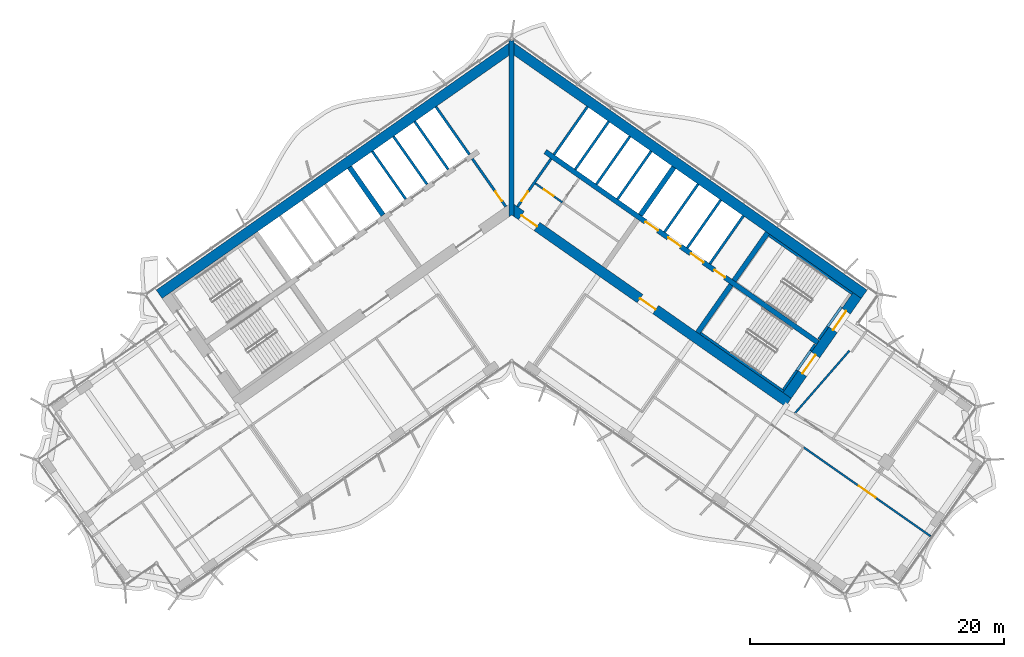
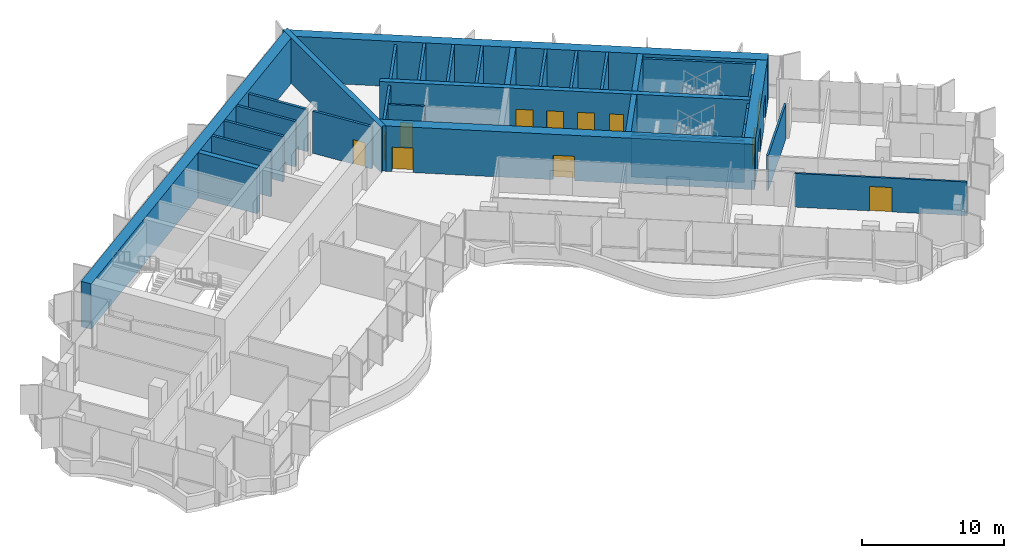
# One storey, part 16 of 23: 33 walls, 12 doors, 12 openings.
"""IFC4 building model written with IfcOpenShell, lengths in metres."""

from ifc_helpers import new_model, si_unit, direction, frame, frame_2d, origin, place, context, subcontext, project, spatial, polyline, rectangle, outline, extrude, material, layer, layer_set, type_object, element, fill, save


model = new_model("IFC4")

# Units and contexts
model_context = context("Model", 3, precision=1e-05, world=origin(), true_north=direction((0.0, 1.0)))
body_context = subcontext(model_context, "Body", "Model", "MODEL_VIEW")
ifc_project = project(units=[si_unit("LENGTHUNIT", "METRE"), si_unit("AREAUNIT", "SQUARE_METRE"), si_unit("VOLUMEUNIT", "CUBIC_METRE"), si_unit("PLANEANGLEUNIT", "RADIAN"), si_unit("MASSUNIT", "GRAM", prefix="KILO")], contexts=[model_context])

# Site, building, storey
site_placement = place(None, origin())
site = spatial("IfcSite", under=ifc_project, at=site_placement, CompositionType="ELEMENT")
building_placement = place(site_placement, origin())
building = spatial("IfcBuilding", under=site, at=building_placement, Name="Tel Ilan Convention Tower", CompositionType="ELEMENT")
storey_placement = place(building_placement, frame((0.0, 0.0, 174.89990234375)))
storey = spatial("IfcBuildingStorey", under=building, at=storey_placement, Name="L40", CompositionType="ELEMENT", Elevation=174.89990234375)

# Wall, opening, door
ifc_material_1 = material(Name="Gypsum Plasterboard on Steel Stud", Category="steel")
ifc_layer_1 = layer(ifc_material_1, 0.14990234375)
ifc_layer_set_1 = layer_set([ifc_layer_1], Name="Core Room Partition Wall 150 mm EI 60")
wall_type_1 = type_object("IfcWallType", Name="Core Room Partition Wall 150 mm EI 60", PredefinedType="PARTITIONING", material=ifc_layer_set_1)
wall_1_placement = place(storey_placement, frame((1.85986328125, 1.261474609375, 0.0), z_axis=(0.0, 0.0, 1.0), x_axis=(0.819103967032, -0.573645091666, 0.0)))
wall_1 = element("IfcWall", 1, at=wall_1_placement, inside=storey, type_object=wall_type_1, Name="L40 core wall wc-h1", PredefinedType="PARTITIONING", context=body_context, shape_type="SweptSolid", body=[
    extrude(rectangle(XDim=2.599853515625, YDim=0.14990234375, at=frame_2d((1.2998046875, 0.0))), origin(), (0.0, 0.0, 1.0), 3.6201171875),
])
opening_1_placement = place(wall_1_placement, frame((0.85009765625, 0.0, 0.0)))
opening_1 = element("IfcOpeningElement", 2, at=opening_1_placement, cuts=wall_1, Name="Opening CD3108", PredefinedType="OPENING", context=body_context, shape_type="SweptSolid", body=[
    extrude(rectangle(XDim=0.89990234375, YDim=2.10009765625, at=frame_2d((0.449951171875, 1.050048828125))), frame((0.0, 0.0849609375, 0.0), z_axis=(0.0, -1.0, 0.0), x_axis=(1.0, 0.0, 0.0)), (0.0, 0.0, 1.0), 0.169921875),
])
ifc_material_2 = material(Name="Laminated Timber Door Leaf", Category="wood")
door_type_1 = type_object("IfcDoorType", Name="Toilet Door 900 x 2100 FD30S", OperationType="NOTDEFINED", PredefinedType="DOOR", material=ifc_material_2)
door_1_placement = place(opening_1_placement, origin())
door_1 = element("IfcDoor", 3, at=door_1_placement, inside=storey, type_object=door_type_1, Name="Accessible WC door", OperationType="SINGLE_SWING_RIGHT", OverallHeight=2.10009765625, OverallWidth=0.89990234375, PredefinedType="DOOR", context=body_context, shape_type="SweptSolid", body=[
    extrude(rectangle(XDim=0.89990234375, YDim=2.10009765625, at=frame_2d((0.449951171875, 1.050048828125))), frame((0.0, 0.02490234375, 0.0), z_axis=(0.0, -1.0, 0.0), x_axis=(1.0, 0.0, 0.0)), (0.0, 0.0, 1.0), 0.050048828125),
])
fill(opening_1, door_1)

ifc_material_3 = material(Name="Concrete C30/37", Category="concrete")
ifc_layer_2 = layer(ifc_material_3, 0.199951171875)
ifc_layer_set_2 = layer_set([ifc_layer_2], Name="Core Service Room Wall 200 mm C30/37")
wall_type_2 = type_object("IfcWallType", Name="Core Service Room Wall 200 mm C30/37", PredefinedType="SOLIDWALL", material=ifc_layer_set_2)
wall_2_placement = place(storey_placement, frame((-0.458740234375, -0.565185546875, 0.0), z_axis=(0.0, 0.0, 1.0), x_axis=(-0.573576324356, 0.819152122709, 0.0)))
wall_2 = element("IfcWall", 4, at=wall_2_placement, inside=storey, type_object=wall_type_2, Name="L40 core wall apex-W", PredefinedType="SOLIDWALL", context=body_context, shape_type="SweptSolid", body=[
    extrude(rectangle(XDim=4.599853515625, YDim=0.199951171875, at=frame_2d((2.2998046875, 0.0))), origin(), (0.0, 0.0, 1.0), 3.6201171875),
])
opening_2_placement = place(wall_2_placement, frame((0.550048828125, 0.0, 0.0)))
opening_2 = element("IfcOpeningElement", 5, at=opening_2_placement, cuts=wall_2, Name="Opening CD3102", PredefinedType="OPENING", context=body_context, shape_type="SweptSolid", body=[
    extrude(rectangle(XDim=0.89990234375, YDim=2.10009765625, at=frame_2d((0.449951171875, 1.050048828125))), frame((0.0, 0.10986328125, 0.0), z_axis=(0.0, -1.0, 0.0), x_axis=(1.0, 0.0, 0.0)), (0.0, 0.0, 1.0), 0.219970703125),
])
ifc_material_4 = material(Name="Galvanised Steel Door Leaf", Category="steel")
door_type_2 = type_object("IfcDoorType", Name="Service Room Door 900 x 2100 FD60", OperationType="NOTDEFINED", PredefinedType="DOOR", material=ifc_material_4)
door_2_placement = place(opening_2_placement, origin())
door_2 = element("IfcDoor", 6, at=door_2_placement, inside=storey, type_object=door_type_2, Name="Electrical Room door", OperationType="SINGLE_SWING_RIGHT", OverallHeight=2.10009765625, OverallWidth=0.89990234375, PredefinedType="DOOR", context=body_context, shape_type="SweptSolid", body=[
    extrude(rectangle(XDim=0.89990234375, YDim=2.10009765625, at=frame_2d((0.449951171875, 1.050048828125))), frame((0.0, 0.02490234375, 0.0), z_axis=(0.0, -1.0, 0.0), x_axis=(1.0, 0.0, 0.0)), (0.0, 0.0, 1.0), 0.050048828125),
])
fill(opening_2, door_2)

# Wall
wall_3_placement = place(storey_placement, frame((-3.32666015625, 3.530517578125, 0.0), z_axis=(0.0, 0.0, 1.0), x_axis=(-0.573576324356, 0.819152122709, 0.0)))
element("IfcWall", 7, at=wall_3_placement, inside=storey, type_object=wall_type_2, Name="L40 core wall apex-W-b", PredefinedType="SOLIDWALL", context=body_context, shape_type="SweptSolid", body=[
    extrude(rectangle(XDim=4.599853515625, YDim=0.199951171875, at=frame_2d((2.2998046875, 0.0))), origin(), (0.0, 0.0, 1.0), 3.6201171875),
])

# Wall, opening, door
wall_4_placement = place(storey_placement, frame((0.458740234375, -0.565185546875, 0.0), z_axis=(0.0, 0.0, 1.0), x_axis=(0.573576324356, 0.819152122709, 0.0)))
wall_4 = element("IfcWall", 8, at=wall_4_placement, inside=storey, type_object=wall_type_2, Name="L40 core wall apex-E", PredefinedType="SOLIDWALL", context=body_context, shape_type="SweptSolid", body=[
    extrude(rectangle(XDim=4.599853515625, YDim=0.199951171875, at=frame_2d((2.2998046875, 0.0))), origin(), (0.0, 0.0, 1.0), 3.6201171875),
])
opening_3_placement = place(wall_4_placement, frame((0.550048828125, 0.0, 0.0)))
opening_3 = element("IfcOpeningElement", 9, at=opening_3_placement, cuts=wall_4, Name="Opening CD3101", PredefinedType="OPENING", context=body_context, shape_type="SweptSolid", body=[
    extrude(rectangle(XDim=0.89990234375, YDim=2.10009765625, at=frame_2d((0.449951171875, 1.050048828125))), frame((0.0, 0.10986328125, 0.0), z_axis=(0.0, -1.0, 0.0), x_axis=(1.0, 0.0, 0.0)), (0.0, 0.0, 1.0), 0.219970703125),
])
door_3_placement = place(opening_3_placement, origin())
door_3 = element("IfcDoor", 10, at=door_3_placement, inside=storey, type_object=door_type_2, Name="Store Room door", OperationType="SINGLE_SWING_RIGHT", OverallHeight=2.10009765625, OverallWidth=0.89990234375, PredefinedType="DOOR", context=body_context, shape_type="SweptSolid", body=[
    extrude(rectangle(XDim=0.89990234375, YDim=2.10009765625, at=frame_2d((0.449951171875, 1.050048828125))), frame((0.0, 0.02490234375, 0.0), z_axis=(0.0, -1.0, 0.0), x_axis=(1.0, 0.0, 0.0)), (0.0, 0.0, 1.0), 0.050048828125),
])
fill(opening_3, door_3)

# Walls
wall_5_placement = place(storey_placement, frame((3.32666015625, 3.530517578125, 0.0), z_axis=(0.0, 0.0, 1.0), x_axis=(0.573576324356, 0.819152122709, 0.0)))
element("IfcWall", 11, at=wall_5_placement, inside=storey, type_object=wall_type_2, Name="L40 core wall apex-E-b", PredefinedType="SOLIDWALL", context=body_context, shape_type="SweptSolid", body=[
    extrude(rectangle(XDim=4.599853515625, YDim=0.199951171875, at=frame_2d((2.2998046875, 0.0))), origin(), (0.0, 0.0, 1.0), 3.6201171875),
])
ifc_material_5 = material(Name="Concrete C50/60", Category="concrete")
ifc_layer_3 = layer(ifc_material_5, 0.39990234375)
ifc_layer_set_3 = layer_set([ifc_layer_3], Name="Core Shear Wall 400 mm C50/60")
wall_type_3 = type_object("IfcWallType", Name="Core Shear Wall 400 mm C50/60", PredefinedType="SHEAR", material=ifc_layer_set_3)
wall_6_placement = place(storey_placement, frame((-10.12548828125, -1.230224609375, 0.0), z_axis=(0.0, 0.0, 1.0), x_axis=(-0.573576324356, 0.819152122709, 0.0)))
element("IfcWall", 12, at=wall_6_placement, inside=storey, type_object=wall_type_3, Name="L40 core wall W-cross1-2", PredefinedType="SHEAR", context=body_context, shape_type="SweptSolid", body=[
    extrude(outline(polyline([(4.60009765625, -0.199951171875), (4.599853515625, 0.199951171875), (0.0, 0.2001953125), (0.0, -0.199951171875), (4.60009765625, -0.199951171875)])), origin(), (0.0, 0.0, 1.0), 3.900146484375),
])
wall_7_placement = place(storey_placement, frame((10.12548828125, -1.230224609375, 0.0), z_axis=(0.0, 0.0, 1.0), x_axis=(0.573576324356, 0.819152122709, 0.0)))
element("IfcWall", 13, at=wall_7_placement, inside=storey, type_object=wall_type_3, Name="L40 core wall E-cross1-2", PredefinedType="SHEAR", context=body_context, shape_type="SweptSolid", body=[
    extrude(outline(polyline([(4.599853515625, -0.199951171875), (4.60009765625, 0.199951171875), (0.0, 0.199951171875), (0.0, -0.2001953125), (4.599853515625, -0.199951171875)])), origin(), (0.0, 0.0, 1.0), 3.900146484375),
])
wall_8_placement = place(storey_placement, frame((14.6298828125, -10.48828125, 0.0), z_axis=(0.0, 0.0, 1.0), x_axis=(0.573611936273, 0.819127185829, 0.0)))
element("IfcWall", 14, at=wall_8_placement, inside=storey, type_object=wall_type_3, Name="L40 core wall E-cross2-1", PredefinedType="SHEAR", context=body_context, shape_type="SweptSolid", body=[
    extrude(outline(polyline([(0.000244140625, 0.199951171875), (0.000244140625, -0.2001953125), (4.60009765625, -0.199951171875), (4.60009765625, 0.2001953125), (0.000244140625, 0.199951171875)])), origin(), (0.0, 0.0, 1.0), 3.900146484375),
])
wall_9_placement = place(storey_placement, frame((17.497802734375, -6.392333984375, 0.0), z_axis=(0.0, 0.0, 1.0), x_axis=(0.573611936273, 0.819127185829, 0.0)))
element("IfcWall", 15, at=wall_9_placement, inside=storey, type_object=wall_type_3, Name="L40 core wall E-cross2-2", PredefinedType="SHEAR", context=body_context, shape_type="SweptSolid", body=[
    extrude(outline(polyline([(4.599853515625, -0.199951171875), (4.599853515625, 0.2001953125), (0.0, 0.199951171875), (0.0, -0.2001953125), (4.599853515625, -0.199951171875)])), origin(), (0.0, 0.0, 1.0), 3.900146484375),
])

# Wall, openings, doors
wall_10_placement = place(storey_placement, frame((2.638427734375, 3.76806640625, 0.0), z_axis=(0.0, 0.0, 1.0), x_axis=(0.81915267502, -0.573575535572, 0.0)))
wall_10 = element("IfcWall", 16, at=wall_10_placement, inside=storey, type_object=wall_type_3, Name="L40 core wall E-spine", PredefinedType="SHEAR", context=body_context, shape_type="SweptSolid", body=[
    extrude(outline(polyline([(0.0, 0.199951171875), (0.0, -0.199951171875), (26.199951171875, -0.199951171875), (26.199951171875, 0.199951171875), (0.0, 0.199951171875)])), origin(), (0.0, 0.0, 1.0), 3.900146484375),
])
opening_4_placement = place(wall_10_placement, frame((9.637451171875, 0.0, 0.0)))
opening_4 = element("IfcOpeningElement", 17, at=opening_4_placement, cuts=wall_10, Name="Opening LD3101", PredefinedType="OPENING", context=body_context, shape_type="SweptSolid", body=[
    extrude(rectangle(XDim=1.199951171875, YDim=2.10009765625, at=frame_2d((0.60009765625, 1.050048828125))), frame((0.0, 0.2099609375, 0.0), z_axis=(0.0, -1.0, 0.0), x_axis=(1.0, 0.0, 0.0)), (0.0, 0.0, 1.0), 0.419921875),
])
opening_5_placement = place(wall_10_placement, frame((11.8125, 0.0, 0.0)))
opening_5 = element("IfcOpeningElement", 18, at=opening_5_placement, cuts=wall_10, Name="Opening LD3102", PredefinedType="OPENING", context=body_context, shape_type="SweptSolid", body=[
    extrude(rectangle(XDim=1.199951171875, YDim=2.10009765625, at=frame_2d((0.60009765625, 1.050048828125))), frame((0.0, 0.2099609375, 0.0), z_axis=(0.0, -1.0, 0.0), x_axis=(1.0, 0.0, 0.0)), (0.0, 0.0, 1.0), 0.419921875),
])
opening_6_placement = place(wall_10_placement, frame((13.987548828125, 0.0, 0.0)))
opening_6 = element("IfcOpeningElement", 19, at=opening_6_placement, cuts=wall_10, Name="Opening LD3103", PredefinedType="OPENING", context=body_context, shape_type="SweptSolid", body=[
    extrude(rectangle(XDim=1.199951171875, YDim=2.10009765625, at=frame_2d((0.60009765625, 1.050048828125))), frame((0.0, 0.2099609375, 0.0), z_axis=(0.0, -1.0, 0.0), x_axis=(1.0, 0.0, 0.0)), (0.0, 0.0, 1.0), 0.419921875),
])
opening_7_placement = place(wall_10_placement, frame((16.262451171875, 0.0, 0.0)))
opening_7 = element("IfcOpeningElement", 20, at=opening_7_placement, cuts=wall_10, Name="Opening CD3107", PredefinedType="OPENING", context=body_context, shape_type="SweptSolid", body=[
    extrude(rectangle(XDim=1.0, YDim=2.10009765625, at=frame_2d((0.5, 1.050048828125))), frame((0.0, 0.2099609375, 0.0), z_axis=(0.0, -1.0, 0.0), x_axis=(1.0, 0.0, 0.0)), (0.0, 0.0, 1.0), 0.419921875),
])
ifc_material_6 = material(Name="Stainless Steel Sliding Door Leaf", Category="steel")
door_type_3 = type_object("IfcDoorType", Name="Lift Landing Door 1200 x 2100 FD120", OperationType="NOTDEFINED", PredefinedType="DOOR", material=ifc_material_6)
door_4_placement = place(opening_4_placement, origin())
door_4 = element("IfcDoor", 21, at=door_4_placement, inside=storey, type_object=door_type_3, Name="Lift FL1 landing door", OperationType="SLIDING_TO_LEFT", OverallHeight=2.10009765625, OverallWidth=1.199951171875, PredefinedType="DOOR", context=body_context, shape_type="SweptSolid", body=[
    extrude(rectangle(XDim=1.199951171875, YDim=2.10009765625, at=frame_2d((0.60009765625, 1.050048828125))), frame((0.0, 0.02490234375, 0.0), z_axis=(0.0, -1.0, 0.0), x_axis=(1.0, 0.0, 0.0)), (0.0, 0.0, 1.0), 0.050048828125),
])
fill(opening_4, door_4)
door_5_placement = place(opening_5_placement, origin())
door_5 = element("IfcDoor", 22, at=door_5_placement, inside=storey, type_object=door_type_3, Name="Lift FL2 landing door", OperationType="SLIDING_TO_RIGHT", OverallHeight=2.10009765625, OverallWidth=1.199951171875, PredefinedType="DOOR", context=body_context, shape_type="SweptSolid", body=[
    extrude(rectangle(XDim=1.199951171875, YDim=2.10009765625, at=frame_2d((0.60009765625, 1.050048828125))), frame((0.0, 0.02490234375, 0.0), z_axis=(0.0, -1.0, 0.0), x_axis=(1.0, 0.0, 0.0)), (0.0, 0.0, 1.0), 0.050048828125),
])
fill(opening_5, door_5)
door_6_placement = place(opening_6_placement, origin())
door_6 = element("IfcDoor", 23, at=door_6_placement, inside=storey, type_object=door_type_3, Name="Lift FL3 landing door", OperationType="SLIDING_TO_LEFT", OverallHeight=2.10009765625, OverallWidth=1.199951171875, PredefinedType="DOOR", context=body_context, shape_type="SweptSolid", body=[
    extrude(rectangle(XDim=1.199951171875, YDim=2.10009765625, at=frame_2d((0.60009765625, 1.050048828125))), frame((0.0, 0.02490234375, 0.0), z_axis=(0.0, -1.0, 0.0), x_axis=(1.0, 0.0, 0.0)), (0.0, 0.0, 1.0), 0.050048828125),
])
fill(opening_6, door_6)
ifc_material_7 = material(Name="Galvanised Steel Door Leaf", Category="steel")
door_type_4 = type_object("IfcDoorType", Name="Service Room Door 1000 x 2100 FD60", OperationType="NOTDEFINED", PredefinedType="DOOR", material=ifc_material_7)
door_7_placement = place(opening_7_placement, origin())
door_7 = element("IfcDoor", 24, at=door_7_placement, inside=storey, type_object=door_type_4, Name="Plant Room door", OperationType="SINGLE_SWING_RIGHT", OverallHeight=2.10009765625, OverallWidth=1.0, PredefinedType="DOOR", context=body_context, shape_type="SweptSolid", body=[
    extrude(rectangle(XDim=1.0, YDim=2.10009765625, at=frame_2d((0.5, 1.050048828125))), frame((0.0, 0.02490234375, 0.0), z_axis=(0.0, -1.0, 0.0), x_axis=(1.0, 0.0, 0.0)), (0.0, 0.0, 1.0), 0.050048828125),
])
fill(opening_7, door_7)

# Walls
wall_11_placement = place(storey_placement, frame((0.0, -1.36083984375, 0.0), z_axis=(0.0, 0.0, 1.0), x_axis=(0.0, 1.0, 0.0)))
element("IfcWall", 25, at=wall_11_placement, inside=storey, type_object=wall_type_3, Name="L40 core wall K-central", PredefinedType="SHEAR", context=body_context, shape_type="SweptSolid", body=[
    extrude(outline(polyline([(0.0, -0.199951171875), (0.14013671875, -0.199951171875), (1.0751953125, -0.199951171875), (12.696044921875, -0.199951171875), (13.812744140625, -0.199951171875), (13.893310546875, -0.199951171875), (13.933349609375, -0.172119140625), (13.812744140625, 0.0), (13.933349609375, 0.172119140625), (13.893310546875, 0.199951171875), (13.812744140625, 0.199951171875), (12.696044921875, 0.199951171875), (1.0751953125, 0.199951171875), (0.14013671875, 0.199951171875), (0.0, 0.199951171875), (0.14013671875, 0.0), (0.0, -0.199951171875)])), origin(), (0.0, 0.0, 1.0), 3.900146484375),
])
ifc_material_8 = material(Name="Concrete C50/60", Category="concrete")
ifc_layer_4 = layer(ifc_material_8, 0.800048828125)
ifc_layer_set_4 = layer_set([ifc_layer_4], Name="Core Shear Wall 800 mm C50/60")
wall_type_4 = type_object("IfcWallType", Name="Core Shear Wall 800 mm C50/60", PredefinedType="SHEAR", material=ifc_layer_set_4)
wall_12_placement = place(storey_placement, frame((0.029296875, 11.984130859375, 0.0), z_axis=(0.0, 0.0, 1.0), x_axis=(-0.819151382952, -0.573577380837, 0.0)))
element("IfcWall", 26, at=wall_12_placement, inside=storey, type_object=wall_type_4, Name="L40 core wall W-back", PredefinedType="SHEAR", context=body_context, shape_type="SweptSolid", body=[
    extrude(outline(polyline([(33.897705078125, 0.39990234375), (0.56005859375, 0.400146484375), (-0.000244140625, -0.39990234375), (33.897705078125, -0.400146484375), (33.897705078125, 0.39990234375)])), origin(), (0.0, 0.0, 1.0), 3.900146484375),
])
wall_13_placement = place(storey_placement, frame((-0.029296875, 11.984130859375, 0.0), z_axis=(0.0, 0.0, 1.0), x_axis=(0.819151382952, -0.573577380837, 0.0)))
element("IfcWall", 27, at=wall_13_placement, inside=storey, type_object=wall_type_4, Name="L40 core wall E-back", PredefinedType="SHEAR", context=body_context, shape_type="SweptSolid", body=[
    extrude(outline(polyline([(33.897705078125, 0.400146484375), (-0.000244140625, 0.39990234375), (0.56005859375, -0.400146484375), (33.897705078125, -0.39990234375), (33.897705078125, 0.400146484375)])), origin(), (0.0, 0.0, 1.0), 3.900146484375),
])

# Wall, openings, doors
wall_14_placement = place(storey_placement, frame((-0.029296875, -0.7119140625, 0.0), z_axis=(0.0, 0.0, 1.0), x_axis=(0.819151758019, -0.573576845187, 0.0)))
wall_14 = element("IfcWall", 28, at=wall_14_placement, inside=storey, type_object=wall_type_4, Name="L40 core wall E-front", PredefinedType="SHEAR", context=body_context, shape_type="SweptSolid", body=[
    extrude(outline(polyline([(26.61572265625, 0.39990234375), (-0.000244140625, 0.39990234375), (0.56005859375, -0.39990234375), (26.61572265625, -0.39990234375), (26.61572265625, 0.39990234375)])), origin(), (0.0, 0.0, 1.0), 3.900146484375),
])
opening_8_placement = place(wall_14_placement, frame((0.9658203125, 0.0, 0.0)))
opening_8 = element("IfcOpeningElement", 29, at=opening_8_placement, cuts=wall_14, Name="Opening CD3103", PredefinedType="OPENING", context=body_context, shape_type="SweptSolid", body=[
    extrude(rectangle(XDim=1.5, YDim=2.10009765625, at=frame_2d((0.75, 1.050048828125))), frame((0.0, 0.409912109375, 0.0), z_axis=(0.0, -1.0, 0.0), x_axis=(1.0, 0.0, 0.0)), (0.0, 0.0, 1.0), 0.820068359375),
])
opening_9_placement = place(wall_14_placement, frame((12.36572265625, 0.0, 0.0)))
opening_9 = element("IfcOpeningElement", 30, at=opening_9_placement, cuts=wall_14, Name="Opening CD3104", PredefinedType="OPENING", context=body_context, shape_type="SweptSolid", body=[
    extrude(rectangle(XDim=1.5, YDim=2.10009765625, at=frame_2d((0.75, 1.050048828125))), frame((0.0, 0.409912109375, 0.0), z_axis=(0.0, -1.0, 0.0), x_axis=(1.0, 0.0, 0.0)), (0.0, 0.0, 1.0), 0.820068359375),
])
ifc_material_9 = material(Name="Glazed Aluminium Door Leaf", Category="aluminium")
door_type_5 = type_object("IfcDoorType", Name="Lobby Opening Door 1500 x 2100 FD60S", OperationType="NOTDEFINED", PredefinedType="DOOR", material=ifc_material_9)
door_8_placement = place(opening_9_placement, origin())
door_8 = element("IfcDoor", 31, at=door_8_placement, inside=storey, type_object=door_type_5, Name="Firefighting Lobby door", OperationType="DOUBLE_DOOR_SINGLE_SWING", OverallHeight=2.10009765625, OverallWidth=1.5, PredefinedType="DOOR", context=body_context, shape_type="SweptSolid", body=[
    extrude(rectangle(XDim=1.5, YDim=2.10009765625, at=frame_2d((0.75, 1.050048828125))), frame((0.0, 0.02490234375, 0.0), z_axis=(0.0, -1.0, 0.0), x_axis=(1.0, 0.0, 0.0)), (0.0, 0.0, 1.0), 0.050048828125),
])
fill(opening_9, door_8)
ifc_material_10 = material(Name="Laminated Timber Door Leaf", Category="wood")
door_type_6 = type_object("IfcDoorType", Name="Toilet Door 1500 x 2100 FD30S", OperationType="NOTDEFINED", PredefinedType="DOOR", material=ifc_material_10)
door_9_placement = place(opening_8_placement, origin())
door_9 = element("IfcDoor", 32, at=door_9_placement, inside=storey, type_object=door_type_6, Name="WC Lobby door", OperationType="SINGLE_SWING_RIGHT", OverallHeight=2.10009765625, OverallWidth=1.5, PredefinedType="DOOR", context=body_context, shape_type="SweptSolid", body=[
    extrude(rectangle(XDim=1.5, YDim=2.10009765625, at=frame_2d((0.75, 1.050048828125))), frame((0.0, 0.02490234375, 0.0), z_axis=(0.0, -1.0, 0.0), x_axis=(1.0, 0.0, 0.0)), (0.0, 0.0, 1.0), 0.050048828125),
])
fill(opening_8, door_9)

wall_15_placement = place(storey_placement, frame((21.6748046875, -15.4208984375, 0.0), z_axis=(0.0, 0.0, 1.0), x_axis=(0.573581815061, 0.819148278049, 0.0)))
wall_15 = element("IfcWall", 33, at=wall_15_placement, inside=storey, type_object=wall_type_4, Name="L40 core wall E-end", PredefinedType="SHEAR", context=body_context, shape_type="SweptSolid", body=[
    extrude(outline(polyline([(9.599853515625, 0.400146484375), (0.0, 0.39990234375), (0.0, -0.39990234375), (9.599853515625, -0.39990234375), (9.599853515625, 0.400146484375)])), origin(), (0.0, 0.0, 1.0), 3.900146484375),
])
opening_10_placement = place(wall_15_placement, frame((6.300048828125, 0.0, 0.0)))
opening_10 = element("IfcOpeningElement", 34, at=opening_10_placement, cuts=wall_15, Name="Opening SD3103", PredefinedType="OPENING", context=body_context, shape_type="SweptSolid", body=[
    extrude(rectangle(XDim=1.800048828125, YDim=2.10009765625, at=frame_2d((0.89990234375, 1.050048828125))), frame((0.0, 0.409912109375, 0.0), z_axis=(0.0, -1.0, 0.0), x_axis=(1.0, 0.0, 0.0)), (0.0, 0.0, 1.0), 0.820068359375),
])
opening_11_placement = place(wall_15_placement, frame((2.10009765625, 0.0, 0.0)))
opening_11 = element("IfcOpeningElement", 35, at=opening_11_placement, cuts=wall_15, Name="Opening SD3104", PredefinedType="OPENING", context=body_context, shape_type="SweptSolid", body=[
    extrude(rectangle(XDim=1.800048828125, YDim=2.10009765625, at=frame_2d((0.89990234375, 1.050048828125))), frame((0.0, 0.409912109375, 0.0), z_axis=(0.0, -1.0, 0.0), x_axis=(1.0, 0.0, 0.0)), (0.0, 0.0, 1.0), 0.820068359375),
])
ifc_material_11 = material(Name="Galvanised Steel Door Leaf", Category="steel")
door_type_7 = type_object("IfcDoorType", Name="Stair Fire Door 1800 x 2100 FD60S", OperationType="NOTDEFINED", PredefinedType="DOOR", material=ifc_material_11)
door_10_placement = place(opening_10_placement, origin())
door_10 = element("IfcDoor", 36, at=door_10_placement, inside=storey, type_object=door_type_7, Name="Stair S3 door", OperationType="DOUBLE_DOOR_SINGLE_SWING", OverallHeight=2.10009765625, OverallWidth=1.800048828125, PredefinedType="DOOR", context=body_context, shape_type="SweptSolid", body=[
    extrude(rectangle(XDim=1.800048828125, YDim=2.10009765625, at=frame_2d((0.89990234375, 1.050048828125))), frame((0.0, 0.02490234375, 0.0), z_axis=(0.0, -1.0, 0.0), x_axis=(1.0, 0.0, 0.0)), (0.0, 0.0, 1.0), 0.050048828125),
])
fill(opening_10, door_10)
door_11_placement = place(opening_11_placement, origin())
door_11 = element("IfcDoor", 37, at=door_11_placement, inside=storey, type_object=door_type_7, Name="Stair S4 door", OperationType="DOUBLE_DOOR_SINGLE_SWING", OverallHeight=2.10009765625, OverallWidth=1.800048828125, PredefinedType="DOOR", context=body_context, shape_type="SweptSolid", body=[
    extrude(rectangle(XDim=1.800048828125, YDim=2.10009765625, at=frame_2d((0.89990234375, 1.050048828125))), frame((0.0, 0.02490234375, 0.0), z_axis=(0.0, -1.0, 0.0), x_axis=(1.0, 0.0, 0.0)), (0.0, 0.0, 1.0), 0.050048828125),
])
fill(opening_11, door_11)

# Wall, opening, door
ifc_material_12 = material(Name="Plasterboard on Steel Studs", Category="steel")
ifc_layer_5 = layer(ifc_material_12, 0.14990234375)
ifc_layer_set_5 = layer_set([ifc_layer_5], Name="Fire-rated Partition 150 EI 60")
wall_type_5 = type_object("IfcWallType", Name="Fire-rated Partition 150 EI 60", PredefinedType="PARTITIONING", material=ifc_layer_set_5)
wall_16_placement = place(storey_placement, frame((32.962158203125, -26.49853515625, 0.0), z_axis=(0.0, 0.0, 1.0), x_axis=(-0.819153894559, 0.573573793882, 0.0)))
wall_16 = element("IfcWall", 38, at=wall_16_placement, inside=storey, type_object=wall_type_5, Name="Partition 007", PredefinedType="PARTITIONING", context=body_context, shape_type="SweptSolid", body=[
    extrude(rectangle(XDim=12.2021484375, YDim=0.14990234375, at=frame_2d((6.10107421875, 0.0))), origin(), (0.0, 0.0, 1.0), 2.900146484375),
])
opening_12_placement = place(wall_16_placement, frame((5.301025390625, 0.0, 0.0)))
opening_12 = element("IfcOpeningElement", 39, at=opening_12_placement, cuts=wall_16, Name="Opening L39-016", PredefinedType="OPENING", context=body_context, shape_type="SweptSolid", body=[
    extrude(rectangle(XDim=1.60009765625, YDim=2.10009765625, at=frame_2d((0.800048828125, 1.050048828125))), frame((0.0, 0.0849609375, 0.0), z_axis=(0.0, -1.0, 0.0), x_axis=(1.0, 0.0, 0.0)), (0.0, 0.0, 1.0), 0.169921875),
])
ifc_material_13 = material(Name="Timber Door Leaf in Steel Frame", Category="steel")
door_type_8 = type_object("IfcDoorType", Name="Tenant Suite Entrance Fire Door 1600x2100", OperationType="NOTDEFINED", PredefinedType="DOOR", material=ifc_material_13)
door_12_placement = place(opening_12_placement, origin())
door_12 = element("IfcDoor", 40, at=door_12_placement, inside=storey, type_object=door_type_8, Name="Door L39-016", OperationType="DOUBLE_DOOR_SINGLE_SWING", OverallHeight=2.10009765625, OverallWidth=1.60009765625, PredefinedType="DOOR", context=body_context, shape_type="SweptSolid", body=[
    extrude(rectangle(XDim=1.60009765625, YDim=2.10009765625, at=frame_2d((0.800048828125, 1.050048828125))), frame((0.0, 0.02490234375, 0.0), z_axis=(0.0, -1.0, 0.0), x_axis=(1.0, 0.0, 0.0)), (0.0, 0.0, 1.0), 0.050048828125),
])
fill(opening_12, door_12)

# Walls
wall_17_placement = place(storey_placement, frame((22.284912109375, -16.82470703125, 0.0), z_axis=(0.0, 0.0, 1.0), x_axis=(0.656781429942, 0.754080999153, 0.0)))
element("IfcWall", 41, at=wall_17_placement, inside=storey, type_object=wall_type_5, Name="Partition 018", PredefinedType="PARTITIONING", context=body_context, shape_type="SweptSolid", body=[
    extrude(rectangle(XDim=6.536376953125, YDim=0.14990234375, at=frame_2d((3.26806640625, 0.0))), origin(), (0.0, 0.0, 1.0), 3.0),
])
ifc_material_14 = material(Name="Concrete C30/37", Category="concrete")
ifc_layer_6 = layer(ifc_material_14, 0.199951171875)
ifc_layer_set_6 = layer_set([ifc_layer_6], Name="Lift Shaft Wall 200 mm C30/37")
wall_type_6 = type_object("IfcWallType", Name="Lift Shaft Wall 200 mm C30/37", PredefinedType="SOLIDWALL", material=ifc_layer_set_6)
for number, where, z_axis, x_axis, name in (
    (42, (-4.99560546875, 2.36181640625, 0.0), (0.0, 0.0, 1.0), (-0.573576324356, 0.819152122709, 0.0), "L40 core wall bank-W1-p0"),
    (43, (-6.66455078125, 1.193115234375, 0.0), (0.0, 0.0, 1.0), (-0.573576324356, 0.819152122709, 0.0), "L40 core wall bank-W1-p1"),
):
    element("IfcWall", number, at=place(storey_placement, frame(where, z_axis=z_axis, x_axis=x_axis)), inside=storey, type_object=wall_type_6, Name=name, PredefinedType="SOLIDWALL", context=body_context, shape_type="SweptSolid", body=[
        extrude(rectangle(XDim=4.599853515625, YDim=0.199951171875, at=frame_2d((2.2998046875, 0.0))), origin(), (0.0, 0.0, 1.0), 3.900146484375),
    ])
wall_18_placement = place(storey_placement, frame((-8.33349609375, 0.0244140625, 0.0), z_axis=(0.0, 0.0, 1.0), x_axis=(-0.573611936273, 0.819127185829, 0.0)))
element("IfcWall", 44, at=wall_18_placement, inside=storey, type_object=wall_type_6, Name="L40 core wall bank-W1-p2", PredefinedType="SOLIDWALL", context=body_context, shape_type="SweptSolid", body=[
    extrude(rectangle(XDim=4.60009765625, YDim=0.199951171875, at=frame_2d((2.300048828125, 0.0))), origin(), (0.0, 0.0, 1.0), 3.900146484375),
])
for number, where, z_axis, x_axis, name in (
    (45, (4.99560546875, 2.36181640625, 0.0), (0.0, 0.0, 1.0), (0.573576324356, 0.819152122709, 0.0), "L40 core wall bank-E1-p0"),
    (46, (6.66455078125, 1.193115234375, 0.0), (0.0, 0.0, 1.0), (0.573576324356, 0.819152122709, 0.0), "L40 core wall bank-E1-p1"),
):
    element("IfcWall", number, at=place(storey_placement, frame(where, z_axis=z_axis, x_axis=x_axis)), inside=storey, type_object=wall_type_6, Name=name, PredefinedType="SOLIDWALL", context=body_context, shape_type="SweptSolid", body=[
        extrude(rectangle(XDim=4.599853515625, YDim=0.199951171875, at=frame_2d((2.2998046875, 0.0))), origin(), (0.0, 0.0, 1.0), 3.900146484375),
    ])
wall_19_placement = place(storey_placement, frame((8.33349609375, 0.0244140625, 0.0), z_axis=(0.0, 0.0, 1.0), x_axis=(0.573611936273, 0.819127185829, 0.0)))
element("IfcWall", 47, at=wall_19_placement, inside=storey, type_object=wall_type_6, Name="L40 core wall bank-E1-p2", PredefinedType="SOLIDWALL", context=body_context, shape_type="SweptSolid", body=[
    extrude(rectangle(XDim=4.60009765625, YDim=0.199951171875, at=frame_2d((2.300048828125, 0.0))), origin(), (0.0, 0.0, 1.0), 3.900146484375),
])
for number, where, z_axis, x_axis, name in (
    (48, (12.030029296875, -2.563720703125, 0.0), (0.0, 0.0, 1.0), (0.573576324356, 0.819152122709, 0.0), "L40 core wall bank-E2-p0"),
    (49, (13.811767578125, -3.811279296875, 0.0), (0.0, 0.0, 1.0), (0.573576324356, 0.819152122709, 0.0), "L40 core wall bank-E2-p1"),
    (50, (15.593505859375, -5.058837890625, 0.0), (0.0, 0.0, 1.0), (0.573540709186, 0.819177059558, 0.0), "L40 core wall bank-E2-p2"),
):
    element("IfcWall", number, at=place(storey_placement, frame(where, z_axis=z_axis, x_axis=x_axis)), inside=storey, type_object=wall_type_6, Name=name, PredefinedType="SOLIDWALL", context=body_context, shape_type="SweptSolid", body=[
        extrude(rectangle(XDim=4.599853515625, YDim=0.199951171875, at=frame_2d((2.2998046875, 0.0))), origin(), (0.0, 0.0, 1.0), 3.900146484375),
    ])
ifc_material_15 = material(Name="Concrete C30/37", Category="concrete")
ifc_layer_7 = layer(ifc_material_15, 0.199951171875)
ifc_layer_set_7 = layer_set([ifc_layer_7], Name="Stair and Shaft Lining Wall 200 mm C30/37")
wall_type_7 = type_object("IfcWallType", Name="Stair and Shaft Lining Wall 200 mm C30/37", PredefinedType="SOLIDWALL", material=ifc_layer_set_7)
wall_20_placement = place(storey_placement, frame((20.242919921875, -2.821044921875, 0.0), z_axis=(0.0, 0.0, 1.0), x_axis=(0.819141584393, -0.57359137434, 0.0)))
element("IfcWall", 51, at=wall_20_placement, inside=storey, type_object=wall_type_7, Name="L40 core wall lining-S3-t1", PredefinedType="SOLIDWALL", context=body_context, shape_type="SweptSolid", body=[
    extrude(rectangle(XDim=7.999755859375, YDim=0.199951171875, at=frame_2d((4.0, 0.0))), origin(), (0.0, 0.0, 1.0), 3.6201171875),
])
wall_21_placement = place(storey_placement, frame((24.16162109375, -10.99755859375, 0.0), z_axis=(0.0, 0.0, 1.0), x_axis=(0.573612502218, 0.819126789514, 0.0)))
element("IfcWall", 52, at=wall_21_placement, inside=storey, type_object=wall_type_7, Name="L40 core wall lining-S3-u1-0", PredefinedType="SOLIDWALL", context=body_context, shape_type="SweptSolid", body=[
    extrude(rectangle(XDim=1.2001953125, YDim=0.199951171875, at=frame_2d((0.60009765625, 0.0))), origin(), (0.0, 0.0, 1.0), 3.6201171875),
])
wall_22_placement = place(storey_placement, frame((24.85009765625, -10.014404296875, 2.150146484375), z_axis=(0.0, 0.0, 1.0), x_axis=(0.573505465124, 0.819201734296, 0.0)))
element("IfcWall", 53, at=wall_22_placement, inside=storey, type_object=wall_type_7, Name="L40 core wall lining-S3-u1-lintel", PredefinedType="SOLIDWALL", context=body_context, shape_type="SweptSolid", body=[
    extrude(rectangle(XDim=1.89990234375, YDim=0.199951171875, at=frame_2d((0.949951171875, 0.0))), origin(), (0.0, 0.0, 1.0), 1.469970703125),
])
wall_23_placement = place(storey_placement, frame((14.851318359375, -10.52099609375, 0.0), z_axis=(0.0, 0.0, 1.0), x_axis=(0.819141584393, -0.57359137434, 0.0)))
element("IfcWall", 54, at=wall_23_placement, inside=storey, type_object=wall_type_7, Name="L40 core wall lining-S4-t0", PredefinedType="SOLIDWALL", context=body_context, shape_type="SweptSolid", body=[
    extrude(rectangle(XDim=7.999755859375, YDim=0.199951171875, at=frame_2d((4.0, 0.0))), origin(), (0.0, 0.0, 1.0), 3.6201171875),
])
wall_24_placement = place(storey_placement, frame((21.3798828125, -14.97021484375, 0.0), z_axis=(0.0, 0.0, 1.0), x_axis=(0.573559770908, 0.819163713305, 0.0)))
element("IfcWall", 55, at=wall_24_placement, inside=storey, type_object=wall_type_7, Name="L40 core wall lining-S4-u1-0", PredefinedType="SOLIDWALL", context=body_context, shape_type="SweptSolid", body=[
    extrude(rectangle(XDim=1.849853515625, YDim=0.199951171875, at=frame_2d((0.9248046875, 0.0))), origin(), (0.0, 0.0, 1.0), 3.6201171875),
])
wall_25_placement = place(storey_placement, frame((23.53076171875, -11.8984375, 0.0), z_axis=(0.0, 0.0, 1.0), x_axis=(0.573708088123, 0.819059844958, 0.0)))
element("IfcWall", 56, at=wall_25_placement, inside=storey, type_object=wall_type_7, Name="L40 core wall lining-S4-u1-1", PredefinedType="SOLIDWALL", context=body_context, shape_type="SweptSolid", body=[
    extrude(rectangle(XDim=0.60009765625, YDim=0.199951171875, at=frame_2d((0.300048828125, 0.0))), origin(), (0.0, 0.0, 1.0), 3.6201171875),
])
wall_26_placement = place(storey_placement, frame((22.44091796875, -13.454833984375, 2.150146484375), z_axis=(0.0, 0.0, 1.0), x_axis=(0.573591692345, 0.819141361715, 0.0)))
element("IfcWall", 57, at=wall_26_placement, inside=storey, type_object=wall_type_7, Name="L40 core wall lining-S4-u1-lintel", PredefinedType="SOLIDWALL", context=body_context, shape_type="SweptSolid", body=[
    extrude(rectangle(XDim=1.900146484375, YDim=0.199951171875, at=frame_2d((0.9501953125, 0.0))), origin(), (0.0, 0.0, 1.0), 1.469970703125),
])

save(model, "model.ifc")
